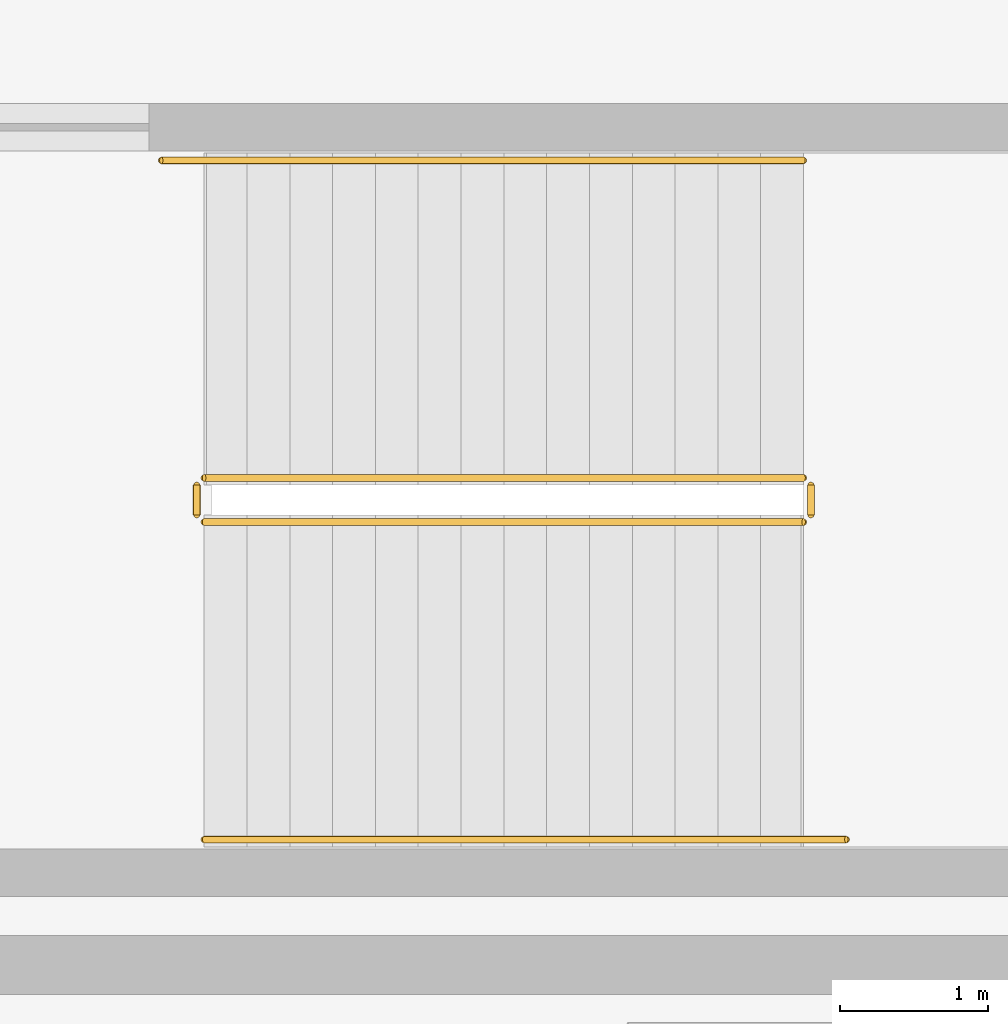
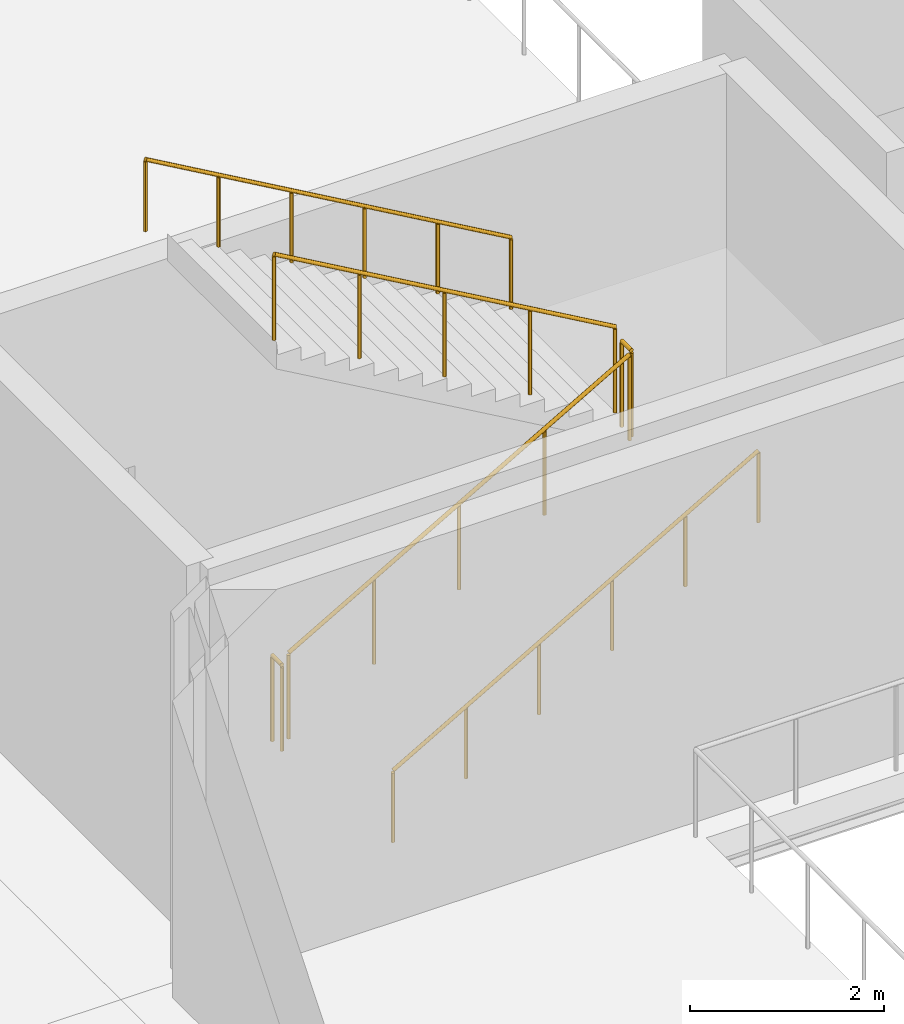
# One storey, part 74 of 81: 6 railings.
"""IFC4 building model written with IfcOpenShell, lengths in metres."""

from ifc_helpers import new_model, si_unit, direction, frame, origin, origin_2d, place, context, subcontext, project, spatial, circle, extrude, material, type_object, element, save


model = new_model("IFC4")

# Units and contexts
model_context = context("Model", 3, precision=1e-05, world=origin(), true_north=direction((0.0, 1.0)))
body_context = subcontext(model_context, "Body", "Model", "MODEL_VIEW")
ifc_project = project(units=[si_unit("LENGTHUNIT", "METRE"), si_unit("AREAUNIT", "SQUARE_METRE"), si_unit("VOLUMEUNIT", "CUBIC_METRE"), si_unit("PLANEANGLEUNIT", "RADIAN"), si_unit("MASSUNIT", "GRAM", prefix="KILO")], contexts=[model_context])

# Site, building, storey
site_placement = place(None, origin())
site = spatial("IfcSite", under=ifc_project, at=site_placement, CompositionType="ELEMENT")
building_placement = place(site_placement, origin())
building = spatial("IfcBuilding", under=site, at=building_placement, Name="Trimount Lyric Opera House", CompositionType="ELEMENT")
storey_placement = place(building_placement, frame((0.0, 0.0, 5.0)))
storey = spatial("IfcBuildingStorey", under=building, at=storey_placement, Name="L01", CompositionType="ELEMENT", Elevation=5.0)

# Railings
ifc_material_1 = material(Name="Brushed Stainless Steel 316", Category="steel")
railing_type_1 = type_object("IfcRailingType", Name="RL-GRD110", PredefinedType="GUARDRAIL", material=ifc_material_1)
railing_1_placement = place(storey_placement, frame((67.050048828125, 87.0, 0.166748046875)))
element("IfcRailing", 1, at=railing_1_placement, inside=storey, type_object=railing_type_1, Name="L01 ST-03 stair guard 1", PredefinedType="GUARDRAIL", context=body_context, shape_type="SweptSolid", body=[
    extrude(circle(Radius=0.02392578125, at=origin_2d()), frame((0.0, 0.0, 1.076171875), z_axis=(0.867024558463, 0.0, 0.498265406207), x_axis=(0.0, 1.0, 0.0)), (0.0, 0.0, 1.0), 4.682861328125),
    extrude(circle(Radius=0.02099609375, at=origin_2d()), origin(), (0.0, 0.0, 1.0), 1.052001953125),
    extrude(circle(Radius=0.02099609375, at=origin_2d()), frame((1.01513671875, 0.0, 0.583251953125)), (0.0, 0.0, 1.0), 1.052001953125),
    extrude(circle(Radius=0.02099609375, at=origin_2d()), frame((2.030029296875, 0.0, 1.16650390625)), (0.0, 0.0, 1.0), 1.052001953125),
    extrude(circle(Radius=0.02099609375, at=origin_2d()), frame((3.044921875, 0.0, 1.75)), (0.0, 0.0, 1.0), 1.052001953125),
    extrude(circle(Radius=0.02099609375, at=origin_2d()), frame((4.06005859375, 0.0, 2.333251953125)), (0.0, 0.0, 1.0), 1.052001953125),
])
railing_2_placement = place(storey_placement, frame((71.159912109375, 87.050048828125, 2.5)))
element("IfcRailing", 2, at=railing_2_placement, inside=storey, type_object=railing_type_1, Name="L01 ST-03 stair guard 2", PredefinedType="GUARDRAIL", context=body_context, shape_type="SweptSolid", body=[
    extrude(circle(Radius=0.02392578125, at=origin_2d()), frame((0.0, 0.0, 1.076171875), z_axis=(0.0, 1.0, 0.0), x_axis=(-1.0, 0.0, 0.0)), (0.0, 0.0, 1.0), 0.199951171875),
    extrude(circle(Radius=0.02099609375, at=origin_2d()), origin(), (0.0, 0.0, 1.0), 1.052001953125),
    extrude(circle(Radius=0.02099609375, at=origin_2d()), frame((0.0, 0.199951171875, 0.0)), (0.0, 0.0, 1.0), 1.052001953125),
])
railing_3_placement = place(storey_placement, frame((71.110107421875, 87.300048828125, 2.666748046875)))
element("IfcRailing", 3, at=railing_3_placement, inside=storey, type_object=railing_type_1, Name="L01 ST-03 stair guard 3", PredefinedType="GUARDRAIL", context=body_context, shape_type="SweptSolid", body=[
    extrude(circle(Radius=0.02392578125, at=origin_2d()), frame((0.0, 0.0, 1.076171875), z_axis=(-0.867024558463, 0.0, 0.498265406207), x_axis=(0.0, -1.0, 0.0)), (0.0, 0.0, 1.0), 4.682861328125),
    extrude(circle(Radius=0.02099609375, at=origin_2d()), origin(), (0.0, 0.0, 1.0), 1.052001953125),
    extrude(circle(Radius=0.02099609375, at=origin_2d()), frame((-1.01513671875, 0.0, 0.583251953125)), (0.0, 0.0, 1.0), 1.052001953125),
    extrude(circle(Radius=0.02099609375, at=origin_2d()), frame((-2.030029296875, 0.0, 1.16650390625)), (0.0, 0.0, 1.0), 1.052001953125),
    extrude(circle(Radius=0.02099609375, at=origin_2d()), frame((-3.044921875, 0.0, 1.75)), (0.0, 0.0, 1.0), 1.052001953125),
    extrude(circle(Radius=0.02099609375, at=origin_2d()), frame((-4.06005859375, 0.0, 2.333251953125)), (0.0, 0.0, 1.0), 1.052001953125),
])
railing_4_placement = place(storey_placement, frame((67.0, 87.050048828125, 0.0)))
element("IfcRailing", 4, at=railing_4_placement, inside=storey, type_object=railing_type_1, Name="L01 ST-03 stair guard 4", PredefinedType="GUARDRAIL", context=body_context, shape_type="SweptSolid", body=[
    extrude(circle(Radius=0.02392578125, at=origin_2d()), frame((0.0, 0.0, 1.076171875), z_axis=(0.0, 1.0, 0.0), x_axis=(-1.0, 0.0, 0.0)), (0.0, 0.0, 1.0), 0.199951171875),
    extrude(circle(Radius=0.02099609375, at=origin_2d()), origin(), (0.0, 0.0, 1.0), 1.052001953125),
    extrude(circle(Radius=0.02099609375, at=origin_2d()), frame((0.0, 0.199951171875, 0.0)), (0.0, 0.0, 1.0), 1.052001953125),
])
ifc_material_2 = material(Name="Brushed Stainless Steel 316", Category="steel")
railing_type_2 = type_object("IfcRailingType", Name="RL-HND092", PredefinedType="HANDRAIL", material=ifc_material_2)
railing_5_placement = place(storey_placement, frame((67.050048828125, 84.85009765625, 0.166748046875)))
element("IfcRailing", 5, at=railing_5_placement, inside=storey, type_object=railing_type_2, Name="L01 ST-03 stair handrail 1", PredefinedType="HANDRAIL", context=body_context, shape_type="SweptSolid", body=[
    extrude(circle(Radius=0.0224609375, at=origin_2d()), frame((0.0, 0.0, 0.8974609375), z_axis=(0.866754379005, 0.0, 0.498735246875), x_axis=(0.0, 1.0, 0.0)), (0.0, 0.0, 1.0), 5.0185546875),
    extrude(circle(Radius=0.02099609375, at=origin_2d()), origin(), (0.0, 0.0, 1.0), 0.875),
    extrude(circle(Radius=0.02099609375, at=origin_2d()), frame((0.869873046875, 0.0, 0.50048828125)), (0.0, 0.0, 1.0), 0.875),
    extrude(circle(Radius=0.02099609375, at=origin_2d()), frame((1.739990234375, 0.0, 1.001220703125)), (0.0, 0.0, 1.0), 0.875),
    extrude(circle(Radius=0.02099609375, at=origin_2d()), frame((2.60986328125, 0.0, 1.501708984375)), (0.0, 0.0, 1.0), 0.875),
    extrude(circle(Radius=0.02099609375, at=origin_2d()), frame((3.47998046875, 0.0, 2.00244140625)), (0.0, 0.0, 1.0), 0.875),
    extrude(circle(Radius=0.02099609375, at=origin_2d()), frame((4.349853515625, 0.0, 2.5029296875)), (0.0, 0.0, 1.0), 0.875),
])
railing_6_placement = place(storey_placement, frame((71.110107421875, 89.449951171875, 2.666748046875)))
element("IfcRailing", 6, at=railing_6_placement, inside=storey, type_object=railing_type_2, Name="L01 ST-03 stair handrail 2", PredefinedType="HANDRAIL", context=body_context, shape_type="SweptSolid", body=[
    extrude(circle(Radius=0.0224609375, at=origin_2d()), frame((0.0, 0.0, 0.8974609375), z_axis=(-0.866766478692, 0.0, 0.498714218181), x_axis=(0.0, -1.0, 0.0)), (0.0, 0.0, 1.0), 5.018798828125),
    extrude(circle(Radius=0.02099609375, at=origin_2d()), origin(), (0.0, 0.0, 1.0), 0.875),
    extrude(circle(Radius=0.02099609375, at=origin_2d()), frame((-0.8701171875, 0.0, 0.50048828125)), (0.0, 0.0, 1.0), 0.875),
    extrude(circle(Radius=0.02099609375, at=origin_2d()), frame((-1.739990234375, 0.0, 1.001220703125)), (0.0, 0.0, 1.0), 0.875),
    extrude(circle(Radius=0.02099609375, at=origin_2d()), frame((-2.610107421875, 0.0, 1.501708984375)), (0.0, 0.0, 1.0), 0.875),
    extrude(circle(Radius=0.02099609375, at=origin_2d()), frame((-3.47998046875, 0.0, 2.00244140625)), (0.0, 0.0, 1.0), 0.875),
    extrude(circle(Radius=0.02099609375, at=origin_2d()), frame((-4.35009765625, 0.0, 2.5029296875)), (0.0, 0.0, 1.0), 0.875),
])

save(model, "model.ifc")
